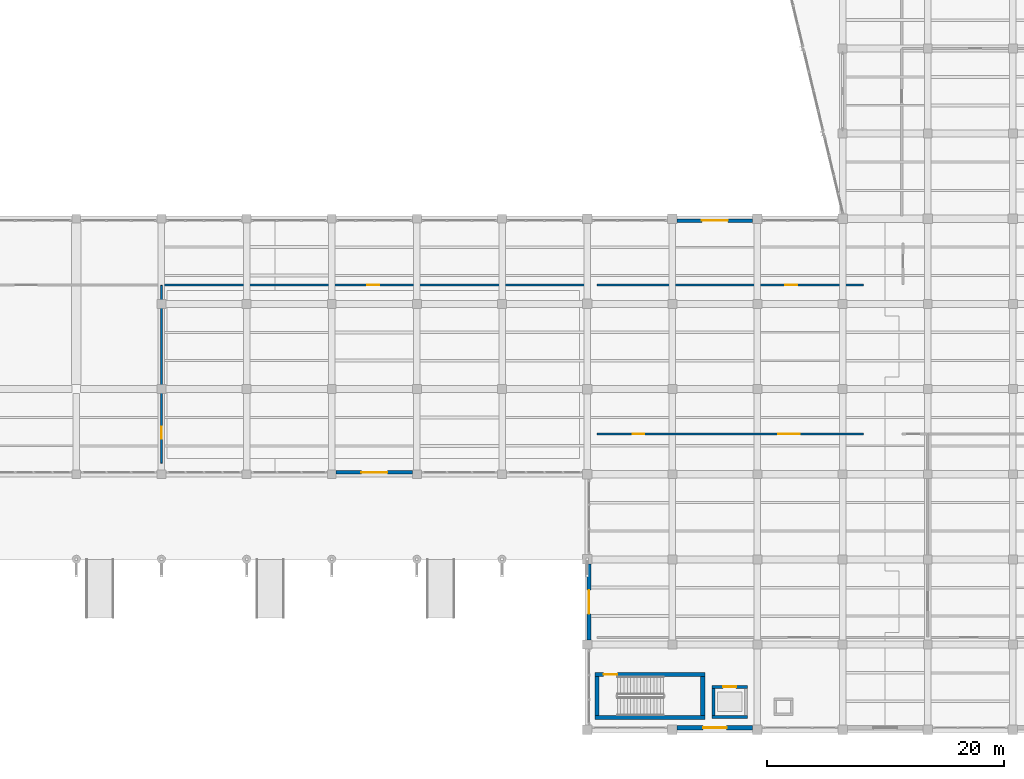
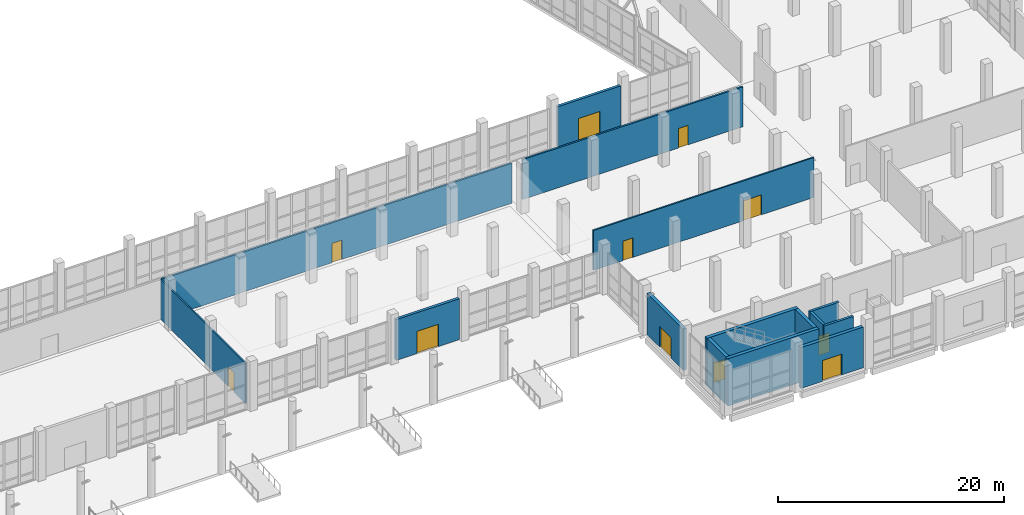
# One storey, part 106 of 137: 15 walls, 11 doors, 11 openings.
"""IFC4 building model written with IfcOpenShell, lengths in metres."""

from ifc_helpers import new_model, si_unit, direction, frame, frame_2d, origin, place, context, subcontext, project, spatial, rectangle, extrude, material, layer, layer_set, type_object, element, fill, save


model = new_model("IFC4")

# Units and contexts
model_context = context("Model", 3, precision=1e-05, world=origin(), true_north=direction((0.0, 1.0)))
body_context = subcontext(model_context, "Body", "Model", "MODEL_VIEW")
ifc_project = project(units=[si_unit("LENGTHUNIT", "METRE"), si_unit("AREAUNIT", "SQUARE_METRE"), si_unit("VOLUMEUNIT", "CUBIC_METRE"), si_unit("PLANEANGLEUNIT", "RADIAN"), si_unit("MASSUNIT", "GRAM", prefix="KILO")], contexts=[model_context])

# Site, building, storey
site_placement = place(None, origin())
site = spatial("IfcSite", under=ifc_project, at=site_placement, CompositionType="ELEMENT")
building_placement = place(site_placement, origin())
building = spatial("IfcBuilding", under=site, at=building_placement, Name="Kalmorath City Hall", CompositionType="ELEMENT")
storey_placement = place(building_placement, origin())
storey = spatial("IfcBuildingStorey", under=building, at=storey_placement, Name="L00", CompositionType="ELEMENT", Elevation=0.0)

# Wall, opening, door
ifc_material_1 = material(Name="Precast concrete C40/50", Category="concrete")
ifc_layer_1 = layer(ifc_material_1, 0.340087890625)
ifc_layer_set_1 = layer_set([ifc_layer_1], Name="Precast concrete C40/50")
wall_type_1 = type_object("IfcWallType", Name="Chamber acoustic precast wall 340", PredefinedType="SOLIDWALL", material=ifc_layer_set_1)
wall_1_placement = place(storey_placement, frame((129.198974609375, 0.159912109375, 0.0), z_axis=(0.0, 0.0, 1.0), x_axis=(-1.0, 0.0, 0.0)))
wall_1 = element("IfcWall", 1, at=wall_1_placement, inside=storey, type_object=wall_type_1, Name="L00 chamber acoustic wall #101", PredefinedType="SOLIDWALL", context=body_context, shape_type="SweptSolid", body=[
    extrude(rectangle(XDim=6.39794921875, YDim=0.340087890625, at=frame_2d((3.198974609375, 0.0))), origin(), (0.0, 0.0, 1.0), 4.410888671875),
])
opening_1_placement = place(wall_1_placement, frame((2.198974609375, 0.0, 0.0)))
opening_1 = element("IfcOpeningElement", 2, at=opening_1_placement, cuts=wall_1, Name="Opening D-E015", PredefinedType="OPENING", context=body_context, shape_type="SweptSolid", body=[
    extrude(rectangle(XDim=2.0, YDim=2.25, at=frame_2d((1.0, 1.125))), frame((0.0, 0.179931640625, 0.0), z_axis=(0.0, -1.0, 0.0), x_axis=(1.0, 0.0, 0.0)), (0.0, 0.0, 1.0), 0.360107421875),
])
ifc_material_2 = material(Name="Galvanised steel and impact glass", Category="steel")
door_type_1 = type_object("IfcDoorType", Name="Hurricane exit discharge double door 2000x2250", OperationType="DOUBLE_DOOR_SINGLE_SWING", PredefinedType="DOOR", material=ifc_material_2)
door_1_placement = place(opening_1_placement, origin())
door_1 = element("IfcDoor", 3, at=door_1_placement, inside=storey, type_object=door_type_1, Name="L00 exterior door D-E015", OperationType="DOUBLE_DOOR_SINGLE_SWING", OverallHeight=2.25, OverallWidth=2.0, PredefinedType="DOOR", context=body_context, shape_type="SweptSolid", body=[
    extrude(rectangle(XDim=2.0, YDim=2.25, at=frame_2d((1.0, 1.125))), frame((0.0, 0.02490234375, 0.0), z_axis=(0.0, -1.0, 0.0), x_axis=(1.0, 0.0, 0.0)), (0.0, 0.0, 1.0), 0.050048828125),
])
fill(opening_1, door_1)

wall_2_placement = place(storey_placement, frame((115.360107421875, 7.60107421875, 0.0), z_axis=(0.0, 0.0, 1.0), x_axis=(0.0, 1.0, 0.0)))
wall_2 = element("IfcWall", 4, at=wall_2_placement, inside=storey, type_object=wall_type_1, Name="L00 chamber acoustic wall #102", PredefinedType="SOLIDWALL", context=body_context, shape_type="SweptSolid", body=[
    extrude(rectangle(XDim=6.39794921875, YDim=0.340087890625, at=frame_2d((3.198974609375, 0.0))), origin(), (0.0, 0.0, 1.0), 4.4609375),
])
opening_2_placement = place(wall_2_placement, frame((2.198974609375, 0.0, 0.0)))
opening_2 = element("IfcOpeningElement", 5, at=opening_2_placement, cuts=wall_2, Name="Opening D-E016", PredefinedType="OPENING", context=body_context, shape_type="SweptSolid", body=[
    extrude(rectangle(XDim=2.0, YDim=2.25, at=frame_2d((1.0, 1.125))), frame((0.0, 0.179931640625, 0.0), z_axis=(0.0, -1.0, 0.0), x_axis=(1.0, 0.0, 0.0)), (0.0, 0.0, 1.0), 0.360107421875),
])
door_2_placement = place(opening_2_placement, origin())
door_2 = element("IfcDoor", 6, at=door_2_placement, inside=storey, type_object=door_type_1, Name="L00 exterior door D-E016", OperationType="DOUBLE_DOOR_SINGLE_SWING", OverallHeight=2.25, OverallWidth=2.0, PredefinedType="DOOR", context=body_context, shape_type="SweptSolid", body=[
    extrude(rectangle(XDim=2.0, YDim=2.25, at=frame_2d((1.0, 1.125))), frame((0.0, 0.02490234375, 0.0), z_axis=(0.0, -1.0, 0.0), x_axis=(1.0, 0.0, 0.0)), (0.0, 0.0, 1.0), 0.050048828125),
])
fill(opening_2, door_2)

# Wall
ifc_material_3 = material(Name="Concrete C50/60", Category="concrete")
ifc_layer_2 = layer(ifc_material_3, 0.35009765625)
ifc_layer_set_2 = layer_set([ifc_layer_2], Name="Concrete C50/60")
wall_type_2 = type_object("IfcWallType", Name="Concrete core shear wall 350", PredefinedType="SHEAR", material=ifc_layer_set_2)
wall_3_placement = place(storey_placement, frame((115.85009765625, 1.02490234375, 0.0), z_axis=(0.0, 0.0, 1.0), x_axis=(1.0, 0.0, 0.0)))
element("IfcWall", 7, at=wall_3_placement, inside=storey, type_object=wall_type_2, Name="L00 C5 stair core shear wall S", PredefinedType="SHEAR", context=body_context, shape_type="SweptSolid", body=[
    extrude(rectangle(XDim=9.2998046875, YDim=0.35009765625, at=frame_2d((4.64990234375, 0.0))), origin(), (0.0, 0.0, 1.0), 5.1201171875),
])

# Wall, opening, door
wall_4_placement = place(storey_placement, frame((125.14990234375, 4.675048828125, 0.0), z_axis=(0.0, 0.0, 1.0), x_axis=(-1.0, 0.0, 0.0)))
wall_4 = element("IfcWall", 8, at=wall_4_placement, inside=storey, type_object=wall_type_2, Name="L00 C5 stair core shear wall N", PredefinedType="SHEAR", context=body_context, shape_type="SweptSolid", body=[
    extrude(rectangle(XDim=9.2998046875, YDim=0.35009765625, at=frame_2d((4.64990234375, 0.0))), origin(), (0.0, 0.0, 1.0), 5.1201171875),
])
opening_3_placement = place(wall_4_placement, frame((7.39990234375, 0.0, 0.0)))
opening_3 = element("IfcOpeningElement", 9, at=opening_3_placement, cuts=wall_4, Name="Opening D-L00-090", PredefinedType="OPENING", context=body_context, shape_type="SweptSolid", body=[
    extrude(rectangle(XDim=1.14990234375, YDim=2.10009765625, at=frame_2d((0.574951171875, 1.050048828125))), frame((0.0, 0.18505859375, 0.0), z_axis=(0.0, -1.0, 0.0), x_axis=(1.0, 0.0, 0.0)), (0.0, 0.0, 1.0), 0.3701171875),
])
ifc_material_4 = material(Name="Galvanised steel fire door", Category="steel")
door_type_2 = type_object("IfcDoorType", Name="Stair enclosure 90-min fire door 1150x2100", OperationType="NOTDEFINED", PredefinedType="DOOR", material=ifc_material_4)
door_3_placement = place(opening_3_placement, frame((1.14990234375, 0.0, 0.0), z_axis=(0.0, 0.0, 1.0), x_axis=(-1.0, 0.0, 0.0)))
door_3 = element("IfcDoor", 10, at=door_3_placement, inside=storey, type_object=door_type_2, Name="L00 door D-L00-090", OperationType="SINGLE_SWING_RIGHT", OverallHeight=2.10009765625, OverallWidth=1.14990234375, PredefinedType="DOOR", context=body_context, shape_type="SweptSolid", body=[
    extrude(rectangle(XDim=1.14990234375, YDim=2.10009765625, at=frame_2d((0.574951171875, 1.050048828125))), frame((0.0, 0.02490234375, 0.0), z_axis=(0.0, -1.0, 0.0), x_axis=(1.0, 0.0, 0.0)), (0.0, 0.0, 1.0), 0.050048828125),
])
fill(opening_3, door_3)

# Walls
for number, where, z_axis, x_axis, name in (
    (11, (116.02490234375, 4.5, 0.0), (0.0, 0.0, 1.0), (0.0, -1.0, 0.0), "L00 C5 stair core shear wall W"),
    (12, (124.97509765625, 1.199951171875, 0.0), (0.0, 0.0, 1.0), (0.0, 1.0, 0.0), "L00 C5 stair core shear wall E"),
):
    element("IfcWall", number, at=place(storey_placement, frame(where, z_axis=z_axis, x_axis=x_axis)), inside=storey, type_object=wall_type_2, Name=name, PredefinedType="SHEAR", context=body_context, shape_type="SweptSolid", body=[
        extrude(rectangle(XDim=3.300048828125, YDim=0.35009765625, at=frame_2d((1.64990234375, 0.0))), origin(), (0.0, 0.0, 1.0), 5.1201171875),
    ])
ifc_material_5 = material(Name="Concrete C50/60", Category="concrete")
ifc_layer_3 = layer(ifc_material_5, 0.25)
ifc_layer_set_3 = layer_set([ifc_layer_3], Name="Concrete C50/60")
wall_type_3 = type_object("IfcWallType", Name="Concrete lift shaft wall 250", PredefinedType="SHEAR", material=ifc_layer_set_3)
wall_5_placement = place(storey_placement, frame((125.75, 1.074951171875, 0.0), z_axis=(0.0, 0.0, 1.0), x_axis=(1.0, 0.0, 0.0)))
element("IfcWall", 13, at=wall_5_placement, inside=storey, type_object=wall_type_3, Name="L00 PL5 lift shaft wall -y", PredefinedType="SHEAR", context=body_context, shape_type="SweptSolid", body=[
    extrude(rectangle(XDim=3.0, YDim=0.25, at=frame_2d((1.5, 0.0))), origin(), (0.0, 0.0, 1.0), 5.1201171875),
])

# Wall, opening, door
wall_6_placement = place(storey_placement, frame((128.75, 3.625, 0.0), z_axis=(0.0, 0.0, 1.0), x_axis=(-1.0, 0.0, 0.0)))
wall_6 = element("IfcWall", 14, at=wall_6_placement, inside=storey, type_object=wall_type_3, Name="L00 PL5 lift shaft wall +y", PredefinedType="SHEAR", context=body_context, shape_type="SweptSolid", body=[
    extrude(rectangle(XDim=3.0, YDim=0.25, at=frame_2d((1.5, 0.0))), origin(), (0.0, 0.0, 1.0), 5.1201171875),
])
opening_4_placement = place(wall_6_placement, frame((0.949951171875, 0.0, 0.0)))
opening_4 = element("IfcOpeningElement", 15, at=opening_4_placement, cuts=wall_6, Name="Opening LD-094", PredefinedType="OPENING", context=body_context, shape_type="SweptSolid", body=[
    extrude(rectangle(XDim=1.10009765625, YDim=2.10009765625, at=frame_2d((0.550048828125, 1.050048828125))), frame((0.0, 0.135009765625, 0.0), z_axis=(0.0, -1.0, 0.0), x_axis=(1.0, 0.0, 0.0)), (0.0, 0.0, 1.0), 0.27001953125),
])
ifc_material_6 = material(Name="Stainless steel sliding landing door", Category="steel")
door_type_3 = type_object("IfcDoorType", Name="Passenger lift sliding landing door 1100x2100", OperationType="SLIDING_TO_LEFT", PredefinedType="DOOR", material=ifc_material_6)
door_4_placement = place(opening_4_placement, origin())
door_4 = element("IfcDoor", 16, at=door_4_placement, inside=storey, type_object=door_type_3, Name="L00 door LD-094", OperationType="SLIDING_TO_LEFT", OverallHeight=2.10009765625, OverallWidth=1.10009765625, PredefinedType="DOOR", context=body_context, shape_type="SweptSolid", body=[
    extrude(rectangle(XDim=1.10009765625, YDim=2.10009765625, at=frame_2d((0.550048828125, 1.050048828125))), frame((0.0, 0.02490234375, 0.0), z_axis=(0.0, -1.0, 0.0), x_axis=(1.0, 0.0, 0.0)), (0.0, 0.0, 1.0), 0.050048828125),
])
fill(opening_4, door_4)

# Wall
wall_7_placement = place(storey_placement, frame((125.875, 3.5, 0.0), z_axis=(0.0, 0.0, 1.0), x_axis=(0.0, -1.0, 0.0)))
element("IfcWall", 17, at=wall_7_placement, inside=storey, type_object=wall_type_3, Name="L00 PL5 lift shaft wall -x", PredefinedType="SHEAR", context=body_context, shape_type="SweptSolid", body=[
    extrude(rectangle(XDim=2.300048828125, YDim=0.25, at=frame_2d((1.14990234375, 0.0))), origin(), (0.0, 0.0, 1.0), 5.1201171875),
])

# Wall, opening, door
ifc_material_7 = material(Name="Acoustic metal-stud gypsum partition")
ifc_layer_4 = layer(ifc_material_7, 0.14990234375)
ifc_layer_set_4 = layer_set([ifc_layer_4], Name="Acoustic metal-stud gypsum partition")
wall_type_4 = type_object("IfcWallType", Name="Departmental suite partition 150", PredefinedType="PARTITIONING", material=ifc_layer_set_4)
wall_8_placement = place(storey_placement, frame((79.199951171875, 22.5400390625, 0.0), z_axis=(0.0, 0.0, 1.0), x_axis=(0.0, 1.0, 0.0)))
wall_8 = element("IfcWall", 18, at=wall_8_placement, inside=storey, type_object=wall_type_4, Name="L00 interior partition PW4 #50", PredefinedType="PARTITIONING", context=body_context, shape_type="SweptSolid", body=[
    extrude(rectangle(XDim=15.02001953125, YDim=0.14990234375, at=frame_2d((7.510009765625, 0.0))), origin(), (0.0, 0.0, 1.0), 4.31103515625),
])
opening_5_placement = place(wall_8_placement, frame((2.0673828125, 0.0, 0.0)))
opening_5 = element("IfcOpeningElement", 19, at=opening_5_placement, cuts=wall_8, Name="Opening D-L00-129", PredefinedType="OPENING", context=body_context, shape_type="SweptSolid", body=[
    extrude(rectangle(XDim=1.0, YDim=2.10009765625, at=frame_2d((0.5, 1.050048828125))), frame((0.0, 0.0849609375, 0.0), z_axis=(0.0, -1.0, 0.0), x_axis=(1.0, 0.0, 0.0)), (0.0, 0.0, 1.0), 0.169921875),
])
ifc_material_8 = material(Name="Hardwood fire door", Category="wood")
door_type_4 = type_object("IfcDoorType", Name="Corridor 60-min fire door 1000x2100", OperationType="NOTDEFINED", PredefinedType="DOOR", material=ifc_material_8)
door_5_placement = place(opening_5_placement, origin())
door_5 = element("IfcDoor", 20, at=door_5_placement, inside=storey, type_object=door_type_4, Name="L00 door D-L00-129", OperationType="SINGLE_SWING_LEFT", OverallHeight=2.10009765625, OverallWidth=1.0, PredefinedType="DOOR", context=body_context, shape_type="SweptSolid", body=[
    extrude(rectangle(XDim=1.0, YDim=2.10009765625, at=frame_2d((0.5, 1.050048828125))), frame((0.0, 0.02490234375, 0.0), z_axis=(0.0, -1.0, 0.0), x_axis=(1.0, 0.0, 0.0)), (0.0, 0.0, 1.0), 0.050048828125),
])
fill(opening_5, door_5)

# Wall, openings, doors
wall_9_placement = place(storey_placement, frame((116.0400390625, 25.0, 0.0), z_axis=(0.0, 0.0, 1.0), x_axis=(1.0, 0.0, 0.0)))
wall_9 = element("IfcWall", 21, at=wall_9_placement, inside=storey, type_object=wall_type_4, Name="L00 interior partition PW4 #52", PredefinedType="PARTITIONING", context=body_context, shape_type="SweptSolid", body=[
    extrude(rectangle(XDim=22.52001953125, YDim=0.14990234375, at=frame_2d((11.260009765625, 0.0))), origin(), (0.0, 0.0, 1.0), 4.31103515625),
])
opening_6_placement = place(wall_9_placement, frame((15.330078125, 0.0, 0.0)))
opening_6 = element("IfcOpeningElement", 22, at=opening_6_placement, cuts=wall_9, Name="Opening D-L00-131", PredefinedType="OPENING", context=body_context, shape_type="SweptSolid", body=[
    extrude(rectangle(XDim=1.800048828125, YDim=2.14990234375, at=frame_2d((0.89990234375, 1.074951171875))), frame((0.0, 0.0849609375, 0.0), z_axis=(0.0, -1.0, 0.0), x_axis=(1.0, 0.0, 0.0)), (0.0, 0.0, 1.0), 0.169921875),
])
opening_7_placement = place(wall_9_placement, frame((3.0048828125, 0.0, 0.0)))
opening_7 = element("IfcOpeningElement", 23, at=opening_7_placement, cuts=wall_9, Name="Opening D-L00-134", PredefinedType="OPENING", context=body_context, shape_type="SweptSolid", body=[
    extrude(rectangle(XDim=1.0, YDim=2.10009765625, at=frame_2d((0.5, 1.050048828125))), frame((0.0, 0.0849609375, 0.0), z_axis=(0.0, -1.0, 0.0), x_axis=(1.0, 0.0, 0.0)), (0.0, 0.0, 1.0), 0.169921875),
])
ifc_material_9 = material(Name="Acoustic hardwood fire door", Category="wood")
door_type_5 = type_object("IfcDoorType", Name="Assembly double acoustic fire door 1800x2150", OperationType="DOUBLE_DOOR_SINGLE_SWING", PredefinedType="DOOR", material=ifc_material_9)
door_6_placement = place(opening_6_placement, origin())
door_6 = element("IfcDoor", 24, at=door_6_placement, inside=storey, type_object=door_type_5, Name="L00 door D-L00-131", OperationType="DOUBLE_DOOR_SINGLE_SWING", OverallHeight=2.14990234375, OverallWidth=1.800048828125, PredefinedType="DOOR", context=body_context, shape_type="SweptSolid", body=[
    extrude(rectangle(XDim=1.800048828125, YDim=2.14990234375, at=frame_2d((0.89990234375, 1.074951171875))), frame((0.0, 0.02490234375, 0.0), z_axis=(0.0, -1.0, 0.0), x_axis=(1.0, 0.0, 0.0)), (0.0, 0.0, 1.0), 0.050048828125),
])
fill(opening_6, door_6)
door_7_placement = place(opening_7_placement, origin())
door_7 = element("IfcDoor", 25, at=door_7_placement, inside=storey, type_object=door_type_4, Name="L00 door D-L00-134", OperationType="SINGLE_SWING_RIGHT", OverallHeight=2.10009765625, OverallWidth=1.0, PredefinedType="DOOR", context=body_context, shape_type="SweptSolid", body=[
    extrude(rectangle(XDim=1.0, YDim=2.10009765625, at=frame_2d((0.5, 1.050048828125))), frame((0.0, 0.02490234375, 0.0), z_axis=(0.0, -1.0, 0.0), x_axis=(1.0, 0.0, 0.0)), (0.0, 0.0, 1.0), 0.050048828125),
])
fill(opening_7, door_7)

# Wall, opening, door
ifc_material_10 = material(Name="Precast concrete C40/50", Category="concrete")
ifc_layer_5 = layer(ifc_material_10, 0.27001953125)
ifc_layer_set_5 = layer_set([ifc_layer_5], Name="Precast concrete C40/50")
wall_type_5 = type_object("IfcWallType", Name="Library splayed facade wall 270", PredefinedType="SOLIDWALL", material=ifc_layer_set_5)
wall_10_placement = place(storey_placement, frame((122.801025390625, 43.0400390625, 0.0), z_axis=(0.0, 0.0, 1.0), x_axis=(1.0, 0.0, 0.0)))
wall_10 = element("IfcWall", 26, at=wall_10_placement, inside=storey, type_object=wall_type_5, Name="L00 library wall #135", PredefinedType="SOLIDWALL", context=body_context, shape_type="SweptSolid", body=[
    extrude(rectangle(XDim=6.39794921875, YDim=0.27001953125, at=frame_2d((3.198974609375, 0.0))), origin(), (0.0, 0.0, 1.0), 4.410888671875),
])
opening_8_placement = place(wall_10_placement, frame((2.09912109375, 0.0, 0.0)))
opening_8 = element("IfcOpeningElement", 27, at=opening_8_placement, cuts=wall_10, Name="Opening D-E021", PredefinedType="OPENING", context=body_context, shape_type="SweptSolid", body=[
    extrude(rectangle(XDim=2.199951171875, YDim=2.39990234375, at=frame_2d((1.10009765625, 1.199951171875))), frame((0.0, 0.14501953125, 0.0), z_axis=(0.0, -1.0, 0.0), x_axis=(1.0, 0.0, 0.0)), (0.0, 0.0, 1.0), 0.2900390625),
])
ifc_material_11 = material(Name="Bronze-anodised aluminium and glass", Category="aluminium")
door_type_6 = type_object("IfcDoorType", Name="Glazed ceremonial double entrance door 2200x2400", OperationType="DOUBLE_DOOR_SINGLE_SWING", PredefinedType="DOOR", material=ifc_material_11)
door_8_placement = place(opening_8_placement, origin())
door_8 = element("IfcDoor", 28, at=door_8_placement, inside=storey, type_object=door_type_6, Name="L00 exterior door D-E021", OperationType="DOUBLE_DOOR_SINGLE_SWING", OverallHeight=2.39990234375, OverallWidth=2.199951171875, PredefinedType="DOOR", context=body_context, shape_type="SweptSolid", body=[
    extrude(rectangle(XDim=2.199951171875, YDim=2.39990234375, at=frame_2d((1.10009765625, 1.199951171875))), frame((0.0, 0.02490234375, 0.0), z_axis=(0.0, -1.0, 0.0), x_axis=(1.0, 0.0, 0.0)), (0.0, 0.0, 1.0), 0.050048828125),
])
fill(opening_8, door_8)

ifc_material_12 = material(Name="Fire-rated acoustic gypsum partition")
ifc_layer_6 = layer(ifc_material_12, 0.179931640625)
ifc_layer_set_6 = layer_set([ifc_layer_6], Name="Fire-rated acoustic gypsum partition")
wall_type_6 = type_object("IfcWallType", Name="One-hour corridor fire partition 180", PredefinedType="PARTITIONING", material=ifc_layer_set_6)
wall_11_placement = place(storey_placement, frame((79.239990234375, 37.60009765625, 0.0), z_axis=(0.0, 0.0, 1.0), x_axis=(1.0, 0.0, 0.0)))
wall_11 = element("IfcWall", 29, at=wall_11_placement, inside=storey, type_object=wall_type_6, Name="L00 interior partition PW2 #32", PredefinedType="PARTITIONING", context=body_context, shape_type="SweptSolid", body=[
    extrude(rectangle(XDim=35.719970703125, YDim=0.179931640625, at=frame_2d((17.85986328125, 0.0))), origin(), (0.0, 0.0, 1.0), 4.31103515625),
])
opening_9_placement = place(wall_11_placement, frame((17.360107421875, 0.0, 0.0)))
opening_9 = element("IfcOpeningElement", 30, at=opening_9_placement, cuts=wall_11, Name="Opening D-L00-128", PredefinedType="OPENING", context=body_context, shape_type="SweptSolid", body=[
    extrude(rectangle(XDim=1.0, YDim=2.10009765625, at=frame_2d((0.5, 1.050048828125))), frame((0.0, 0.099853515625, 0.0), z_axis=(0.0, -1.0, 0.0), x_axis=(1.0, 0.0, 0.0)), (0.0, 0.0, 1.0), 0.199951171875),
])
door_9_placement = place(opening_9_placement, origin())
door_9 = element("IfcDoor", 31, at=door_9_placement, inside=storey, type_object=door_type_4, Name="L00 door D-L00-128", OperationType="SINGLE_SWING_RIGHT", OverallHeight=2.10009765625, OverallWidth=1.0, PredefinedType="DOOR", context=body_context, shape_type="SweptSolid", body=[
    extrude(rectangle(XDim=1.0, YDim=2.10009765625, at=frame_2d((0.5, 1.050048828125))), frame((0.0, 0.02490234375, 0.0), z_axis=(0.0, -1.0, 0.0), x_axis=(1.0, 0.0, 0.0)), (0.0, 0.0, 1.0), 0.050048828125),
])
fill(opening_9, door_9)

wall_12_placement = place(storey_placement, frame((116.0400390625, 37.60009765625, 0.0), z_axis=(0.0, 0.0, 1.0), x_axis=(1.0, 0.0, 0.0)))
wall_12 = element("IfcWall", 32, at=wall_12_placement, inside=storey, type_object=wall_type_6, Name="L00 interior partition PW2 #33", PredefinedType="PARTITIONING", context=body_context, shape_type="SweptSolid", body=[
    extrude(rectangle(XDim=22.52001953125, YDim=0.179931640625, at=frame_2d((11.260009765625, 0.0))), origin(), (0.0, 0.0, 1.0), 4.31103515625),
])
opening_10_placement = place(wall_12_placement, frame((15.929931640625, 0.0, 0.0)))
opening_10 = element("IfcOpeningElement", 33, at=opening_10_placement, cuts=wall_12, Name="Opening D-L00-135", PredefinedType="OPENING", context=body_context, shape_type="SweptSolid", body=[
    extrude(rectangle(XDim=1.0, YDim=2.10009765625, at=frame_2d((0.5, 1.050048828125))), frame((0.0, 0.099853515625, 0.0), z_axis=(0.0, -1.0, 0.0), x_axis=(1.0, 0.0, 0.0)), (0.0, 0.0, 1.0), 0.199951171875),
])
door_10_placement = place(opening_10_placement, origin())
door_10 = element("IfcDoor", 34, at=door_10_placement, inside=storey, type_object=door_type_4, Name="L00 door D-L00-135", OperationType="SINGLE_SWING_LEFT", OverallHeight=2.10009765625, OverallWidth=1.0, PredefinedType="DOOR", context=body_context, shape_type="SweptSolid", body=[
    extrude(rectangle(XDim=1.0, YDim=2.10009765625, at=frame_2d((0.5, 1.050048828125))), frame((0.0, 0.02490234375, 0.0), z_axis=(0.0, -1.0, 0.0), x_axis=(1.0, 0.0, 0.0)), (0.0, 0.0, 1.0), 0.050048828125),
])
fill(opening_10, door_10)

ifc_material_13 = material(Name="Precast concrete C40/50", Category="concrete")
ifc_layer_7 = layer(ifc_material_13, 0.280029296875)
ifc_layer_set_7 = layer_set([ifc_layer_7], Name="Precast concrete C40/50")
wall_type_7 = type_object("IfcWallType", Name="Precast sawtooth facade wall 280", PredefinedType="SOLIDWALL", material=ifc_layer_set_7)
wall_13_placement = place(storey_placement, frame((100.424072265625, 21.760009765625, 0.0), z_axis=(0.0, 0.0, 1.0), x_axis=(-1.0, 0.0, 0.0)))
wall_13 = element("IfcWall", 35, at=wall_13_placement, inside=storey, type_object=wall_type_7, Name="L00 hall entrance portal #103", PredefinedType="SOLIDWALL", context=body_context, shape_type="SweptSolid", body=[
    extrude(rectangle(XDim=6.447998046875, YDim=0.280029296875, at=frame_2d((3.22412109375, 0.0))), origin(), (0.0, 0.0, 1.0), 4.410888671875),
])
opening_11_placement = place(wall_13_placement, frame((2.1240234375, 0.0, 0.0)))
opening_11 = element("IfcOpeningElement", 36, at=opening_11_placement, cuts=wall_13, Name="Opening D-E017", PredefinedType="OPENING", context=body_context, shape_type="SweptSolid", body=[
    extrude(rectangle(XDim=2.199951171875, YDim=2.39990234375, at=frame_2d((1.10009765625, 1.199951171875))), frame((0.0, 0.14990234375, 0.0), z_axis=(0.0, -1.0, 0.0), x_axis=(1.0, 0.0, 0.0)), (0.0, 0.0, 1.0), 0.300048828125),
])
door_11_placement = place(opening_11_placement, origin())
door_11 = element("IfcDoor", 37, at=door_11_placement, inside=storey, type_object=door_type_6, Name="L00 exterior door D-E017", OperationType="DOUBLE_DOOR_SINGLE_SWING", OverallHeight=2.39990234375, OverallWidth=2.199951171875, PredefinedType="DOOR", context=body_context, shape_type="SweptSolid", body=[
    extrude(rectangle(XDim=2.199951171875, YDim=2.39990234375, at=frame_2d((1.10009765625, 1.199951171875))), frame((0.0, 0.02490234375, 0.0), z_axis=(0.0, -1.0, 0.0), x_axis=(1.0, 0.0, 0.0)), (0.0, 0.0, 1.0), 0.050048828125),
])
fill(opening_11, door_11)

save(model, "model.ifc")
